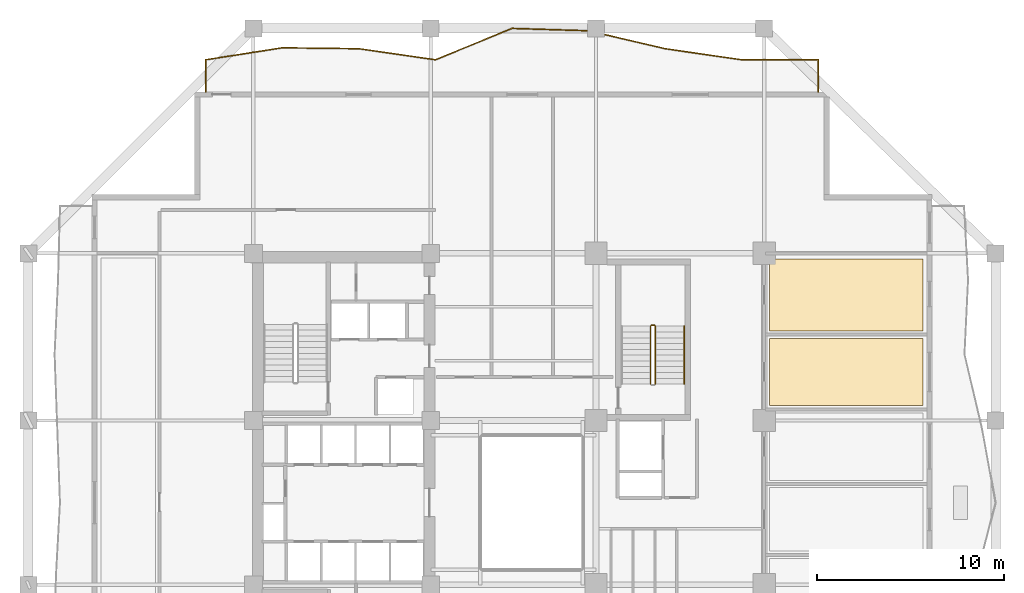
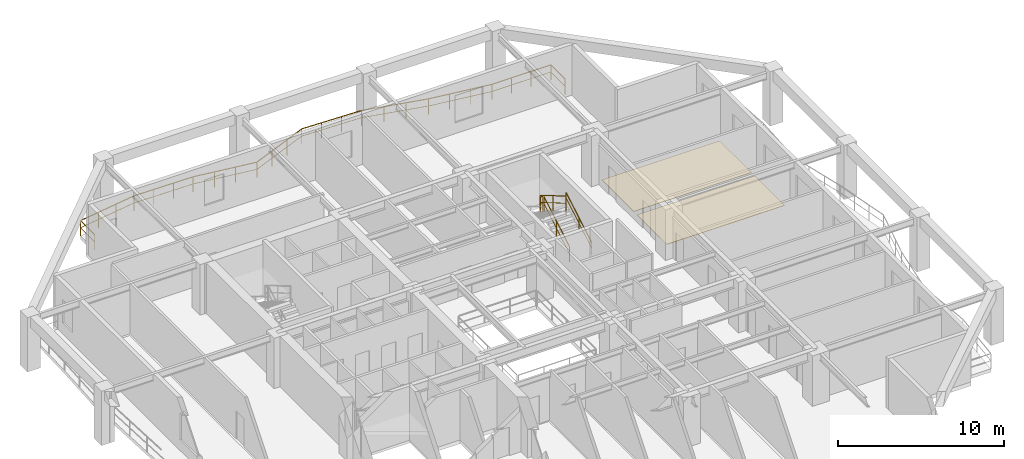
# One storey, part 12 of 13: 5 railings, 2 coverings.
"""IFC4 building model written with IfcOpenShell, lengths in metres."""

from ifc_helpers import new_model, si_unit, direction, frame, origin, origin_2d, place, context, subcontext, project, spatial, polyline, rectangle, outline, extrude, material, layer, layer_set, type_object, element, save


model = new_model("IFC4")

# Units and contexts
model_context = context("Model", 3, precision=1e-05, world=origin(), true_north=direction((0.0, 1.0)))
body_context = subcontext(model_context, "Body", "Model", "MODEL_VIEW")
ifc_project = project(units=[si_unit("LENGTHUNIT", "METRE"), si_unit("AREAUNIT", "SQUARE_METRE"), si_unit("VOLUMEUNIT", "CUBIC_METRE"), si_unit("PLANEANGLEUNIT", "RADIAN"), si_unit("MASSUNIT", "GRAM", prefix="KILO")], contexts=[model_context])

# Site, building, storey
site_placement = place(None, origin())
site = spatial("IfcSite", under=ifc_project, at=site_placement, CompositionType="ELEMENT")
building_placement = place(site_placement, origin())
building = spatial("IfcBuilding", under=site, at=building_placement, Name="Kundavana Baori Tower", CompositionType="ELEMENT")
storey_placement = place(building_placement, frame((0.0, 0.0, 62.0)))
storey = spatial("IfcBuildingStorey", under=building, at=storey_placement, Name="L14", CompositionType="ELEMENT", Elevation=62.0)

# Coverings
ifc_material_1 = material(Name="Honed Kota Stone and Terrazzo Flooring", Category="masonry")
ifc_layer = layer(ifc_material_1, 0.030029296875, Name="COV-INT-FLR")
ifc_layer_set = layer_set([ifc_layer], Name="Honed Kota Stone and Terrazzo Flooring")
covering_type = type_object("IfcCoveringType", Name="COV-INT-FLR", PredefinedType="FLOORING", material=ifc_layer_set)
covering_1_placement = place(storey_placement, origin())
element("IfcCovering", 1, at=covering_1_placement, inside=storey, type_object=covering_type, Name="L14 Room Finished Stone Flooring 12", PredefinedType="FLOORING", context=body_context, shape_type="SweptSolid", body=[
    extrude(outline(polyline([(43.10009765625, 33.800048828125), (51.320068359375, 33.800048828125), (51.320068359375, 37.39990234375), (43.10009765625, 37.39990234375), (43.10009765625, 33.800048828125)])), origin(), (0.0, 0.0, 1.0), 0.030029296875),
])
covering_2_placement = place(storey_placement, origin())
element("IfcCovering", 2, at=covering_2_placement, inside=storey, type_object=covering_type, Name="L14 Room Finished Stone Flooring 13", PredefinedType="FLOORING", context=body_context, shape_type="SweptSolid", body=[
    extrude(outline(polyline([(43.10009765625, 37.800048828125), (51.320068359375, 37.800048828125), (51.320068359375, 41.64990234375), (43.10009765625, 41.64990234375), (43.10009765625, 37.800048828125)])), origin(), (0.0, 0.0, 1.0), 0.030029296875),
])

# Railings
ifc_material_2 = material(Name="Architectural Patinated Bronze Metalwork")
railing_type_1 = type_object("IfcRailingType", Name="RL-BAL-1150", PredefinedType="BALUSTRADE", material=ifc_material_2)
railing_1_placement = place(storey_placement, frame((12.89990234375, 50.60009765625, 0.0)))
element("IfcRailing", 3, at=railing_1_placement, inside=storey, type_object=railing_type_1, Name="L14 Loggia Balcony Balustrade N", PredefinedType="BALUSTRADE", context=body_context, shape_type="SweptSolid", body=[
    extrude(rectangle(XDim=0.048095703125, YDim=0.048095703125, at=origin_2d()), frame((0.0, 0.0, 1.1259765625), z_axis=(0.0, 1.0, 0.0), x_axis=(-1.0, 0.0, 0.0)), (0.0, 0.0, 1.0), 1.719970703125),
    extrude(rectangle(XDim=0.03125, YDim=0.03125, at=origin_2d()), frame((0.0, 0.0, 0.597900390625), z_axis=(0.0, 1.0, 0.0), x_axis=(-1.0, 0.0, 0.0)), (0.0, 0.0, 1.0), 1.719970703125),
    extrude(rectangle(XDim=0.048095703125, YDim=0.048095703125, at=origin_2d()), frame((0.0, 1.719970703125, 1.1259765625), z_axis=(0.987931708029, 0.15489009094, 0.0), x_axis=(-0.15489009094, 0.987931708029, 0.0)), (0.0, 0.0, 1.0), 4.150146484375),
    extrude(rectangle(XDim=0.03125, YDim=0.03125, at=origin_2d()), frame((0.0, 1.719970703125, 0.597900390625), z_axis=(0.987931708029, 0.15489009094, 0.0), x_axis=(-0.15489009094, 0.987931708029, 0.0)), (0.0, 0.0, 1.0), 4.150146484375),
    extrude(rectangle(XDim=0.048095703125, YDim=0.048095703125, at=origin_2d()), frame((4.10009765625, 2.36279296875, 1.1259765625), z_axis=(0.999929095221, -0.011908170718, 0.0), x_axis=(0.011908170718, 0.999929095221, 0.0)), (0.0, 0.0, 1.0), 4.100341796875),
    extrude(rectangle(XDim=0.03125, YDim=0.03125, at=origin_2d()), frame((4.10009765625, 2.36279296875, 0.597900390625), z_axis=(0.999929095221, -0.011908170718, 0.0), x_axis=(0.011908170718, 0.999929095221, 0.0)), (0.0, 0.0, 1.0), 4.100341796875),
    extrude(rectangle(XDim=0.048095703125, YDim=0.048095703125, at=origin_2d()), frame((8.2001953125, 2.31396484375, 1.1259765625), z_axis=(0.989667023568, -0.143384735803, 0.0), x_axis=(0.143384735803, 0.989667023568, 0.0)), (0.0, 0.0, 1.0), 4.142578125),
    extrude(rectangle(XDim=0.03125, YDim=0.03125, at=origin_2d()), frame((8.2001953125, 2.31396484375, 0.597900390625), z_axis=(0.989667023568, -0.143384735803, 0.0), x_axis=(0.143384735803, 0.989667023568, 0.0)), (0.0, 0.0, 1.0), 4.142578125),
    extrude(rectangle(XDim=0.048095703125, YDim=0.048095703125, at=origin_2d()), frame((12.300048828125, 1.719970703125, 1.1259765625), z_axis=(0.925339682893, 0.379139118613, 0.0), x_axis=(-0.379139118613, 0.925339682893, 0.0)), (0.0, 0.0, 1.0), 4.430908203125),
    extrude(rectangle(XDim=0.03125, YDim=0.03125, at=origin_2d()), frame((12.300048828125, 1.719970703125, 0.597900390625), z_axis=(0.925339682893, 0.379139118613, 0.0), x_axis=(-0.379139118613, 0.925339682893, 0.0)), (0.0, 0.0, 1.0), 4.430908203125),
    extrude(rectangle(XDim=0.048095703125, YDim=0.048095703125, at=origin_2d()), frame((16.400146484375, 3.39990234375, 1.1259765625), z_axis=(0.999513526706, -0.031188297981, 0.0), x_axis=(0.031188297981, 0.999513526706, 0.0)), (0.0, 0.0, 1.0), 4.101806640625),
    extrude(rectangle(XDim=0.03125, YDim=0.03125, at=origin_2d()), frame((16.400146484375, 3.39990234375, 0.597900390625), z_axis=(0.999513526706, -0.031188297981, 0.0), x_axis=(0.031188297981, 0.999513526706, 0.0)), (0.0, 0.0, 1.0), 4.101806640625),
    extrude(rectangle(XDim=0.048095703125, YDim=0.048095703125, at=origin_2d()), frame((20.5, 3.27197265625, 1.1259765625), z_axis=(0.973771877763, -0.227526548073, 0.0), x_axis=(0.227526548073, 0.973771877763, 0.0)), (0.0, 0.0, 1.0), 4.21044921875),
    extrude(rectangle(XDim=0.03125, YDim=0.03125, at=origin_2d()), frame((20.5, 3.27197265625, 0.597900390625), z_axis=(0.973771877763, -0.227526548073, 0.0), x_axis=(0.227526548073, 0.973771877763, 0.0)), (0.0, 0.0, 1.0), 4.21044921875),
    extrude(rectangle(XDim=0.048095703125, YDim=0.048095703125, at=origin_2d()), frame((24.60009765625, 2.31396484375, 1.1259765625), z_axis=(0.989668235083, -0.143376373464, 0.0), x_axis=(0.143376373464, 0.989668235083, 0.0)), (0.0, 0.0, 1.0), 4.142822265625),
    extrude(rectangle(XDim=0.03125, YDim=0.03125, at=origin_2d()), frame((24.60009765625, 2.31396484375, 0.597900390625), z_axis=(0.989668235083, -0.143376373464, 0.0), x_axis=(0.143376373464, 0.989668235083, 0.0)), (0.0, 0.0, 1.0), 4.142822265625),
    extrude(rectangle(XDim=0.048095703125, YDim=0.048095703125, at=origin_2d()), frame((28.7001953125, 1.719970703125, 1.1259765625), z_axis=(1.0, 0.0, 0.0), x_axis=(0.0, 1.0, 0.0)), (0.0, 0.0, 1.0), 4.099853515625),
    extrude(rectangle(XDim=0.03125, YDim=0.03125, at=origin_2d()), frame((28.7001953125, 1.719970703125, 0.597900390625), z_axis=(1.0, 0.0, 0.0), x_axis=(0.0, 1.0, 0.0)), (0.0, 0.0, 1.0), 4.099853515625),
    extrude(rectangle(XDim=0.048095703125, YDim=0.048095703125, at=origin_2d()), frame((32.800048828125, 1.719970703125, 1.1259765625), z_axis=(0.0, -1.0, 0.0), x_axis=(1.0, 0.0, 0.0)), (0.0, 0.0, 1.0), 1.719970703125),
    extrude(rectangle(XDim=0.03125, YDim=0.03125, at=origin_2d()), frame((32.800048828125, 1.719970703125, 0.597900390625), z_axis=(0.0, -1.0, 0.0), x_axis=(1.0, 0.0, 0.0)), (0.0, 0.0, 1.0), 1.719970703125),
    extrude(rectangle(XDim=0.0419921875, YDim=0.0419921875, at=origin_2d()), origin(), (0.0, 0.0, 1.0), 1.101806640625),
    extrude(rectangle(XDim=0.0419921875, YDim=0.0419921875, at=origin_2d()), frame((0.0, 1.719970703125, 0.0)), (0.0, 0.0, 1.0), 1.101806640625),
    extrude(rectangle(XDim=0.0419921875, YDim=0.0419921875, at=origin_2d()), frame((1.36669921875, 1.934326171875, 0.0)), (0.0, 0.0, 1.0), 1.101806640625),
    extrude(rectangle(XDim=0.0419921875, YDim=0.0419921875, at=origin_2d()), frame((2.7333984375, 2.1484375, 0.0)), (0.0, 0.0, 1.0), 1.101806640625),
    extrude(rectangle(XDim=0.0419921875, YDim=0.0419921875, at=origin_2d()), frame((4.10009765625, 2.36279296875, 0.0)), (0.0, 0.0, 1.0), 1.101806640625),
    extrude(rectangle(XDim=0.0419921875, YDim=0.0419921875, at=origin_2d()), frame((5.466796875, 2.346435546875, 0.0)), (0.0, 0.0, 1.0), 1.101806640625),
    extrude(rectangle(XDim=0.0419921875, YDim=0.0419921875, at=origin_2d()), frame((6.83349609375, 2.330322265625, 0.0)), (0.0, 0.0, 1.0), 1.101806640625),
    extrude(rectangle(XDim=0.0419921875, YDim=0.0419921875, at=origin_2d()), frame((8.2001953125, 2.31396484375, 0.0)), (0.0, 0.0, 1.0), 1.101806640625),
    extrude(rectangle(XDim=0.0419921875, YDim=0.0419921875, at=origin_2d()), frame((9.56689453125, 2.115966796875, 0.0)), (0.0, 0.0, 1.0), 1.101806640625),
    extrude(rectangle(XDim=0.0419921875, YDim=0.0419921875, at=origin_2d()), frame((10.933349609375, 1.91796875, 0.0)), (0.0, 0.0, 1.0), 1.101806640625),
    extrude(rectangle(XDim=0.0419921875, YDim=0.0419921875, at=origin_2d()), frame((12.300048828125, 1.719970703125, 0.0)), (0.0, 0.0, 1.0), 1.101806640625),
    extrude(rectangle(XDim=0.0419921875, YDim=0.0419921875, at=origin_2d()), frame((13.666748046875, 2.280029296875, 0.0)), (0.0, 0.0, 1.0), 1.101806640625),
    extrude(rectangle(XDim=0.0419921875, YDim=0.0419921875, at=origin_2d()), frame((15.033447265625, 2.83984375, 0.0)), (0.0, 0.0, 1.0), 1.101806640625),
    extrude(rectangle(XDim=0.0419921875, YDim=0.0419921875, at=origin_2d()), frame((16.400146484375, 3.39990234375, 0.0)), (0.0, 0.0, 1.0), 1.101806640625),
    extrude(rectangle(XDim=0.0419921875, YDim=0.0419921875, at=origin_2d()), frame((17.766845703125, 3.357177734375, 0.0)), (0.0, 0.0, 1.0), 1.101806640625),
    extrude(rectangle(XDim=0.0419921875, YDim=0.0419921875, at=origin_2d()), frame((19.13330078125, 3.314697265625, 0.0)), (0.0, 0.0, 1.0), 1.101806640625),
    extrude(rectangle(XDim=0.0419921875, YDim=0.0419921875, at=origin_2d()), frame((20.5, 3.27197265625, 0.0)), (0.0, 0.0, 1.0), 1.101806640625),
    extrude(rectangle(XDim=0.0419921875, YDim=0.0419921875, at=origin_2d()), frame((21.86669921875, 2.95263671875, 0.0)), (0.0, 0.0, 1.0), 1.101806640625),
    extrude(rectangle(XDim=0.0419921875, YDim=0.0419921875, at=origin_2d()), frame((23.2333984375, 2.63330078125, 0.0)), (0.0, 0.0, 1.0), 1.101806640625),
    extrude(rectangle(XDim=0.0419921875, YDim=0.0419921875, at=origin_2d()), frame((24.60009765625, 2.31396484375, 0.0)), (0.0, 0.0, 1.0), 1.101806640625),
    extrude(rectangle(XDim=0.0419921875, YDim=0.0419921875, at=origin_2d()), frame((25.966796875, 2.115966796875, 0.0)), (0.0, 0.0, 1.0), 1.101806640625),
    extrude(rectangle(XDim=0.0419921875, YDim=0.0419921875, at=origin_2d()), frame((27.33349609375, 1.91796875, 0.0)), (0.0, 0.0, 1.0), 1.101806640625),
    extrude(rectangle(XDim=0.0419921875, YDim=0.0419921875, at=origin_2d()), frame((28.7001953125, 1.719970703125, 0.0)), (0.0, 0.0, 1.0), 1.101806640625),
    extrude(rectangle(XDim=0.0419921875, YDim=0.0419921875, at=origin_2d()), frame((30.06689453125, 1.719970703125, 0.0)), (0.0, 0.0, 1.0), 1.101806640625),
    extrude(rectangle(XDim=0.0419921875, YDim=0.0419921875, at=origin_2d()), frame((31.433349609375, 1.719970703125, 0.0)), (0.0, 0.0, 1.0), 1.101806640625),
    extrude(rectangle(XDim=0.0419921875, YDim=0.0419921875, at=origin_2d()), frame((32.800048828125, 1.719970703125, 0.0)), (0.0, 0.0, 1.0), 1.101806640625),
    extrude(rectangle(XDim=0.0419921875, YDim=0.0419921875, at=origin_2d()), frame((32.800048828125, 0.0, 0.0)), (0.0, 0.0, 1.0), 1.101806640625),
])
ifc_material_3 = material(Name="Architectural Patinated Bronze Metalwork")
railing_type_2 = type_object("IfcRailingType", Name="RL-GRD-1150", PredefinedType="GUARDRAIL", material=ifc_material_3)
railing_2_placement = place(storey_placement, frame((36.97998046875, 34.949951171875, 0.181884765625)))
element("IfcRailing", 4, at=railing_2_placement, inside=storey, type_object=railing_type_2, Name="L14 ST3 stair guard 1", PredefinedType="GUARDRAIL", context=body_context, shape_type="SweptSolid", body=[
    extrude(rectangle(XDim=0.048095703125, YDim=0.048095703125, at=origin_2d()), frame((0.0, 0.0, 1.1259765625), z_axis=(0.0, 0.862598821094, 0.505888598258), x_axis=(-1.0, 0.0, 0.0)), (0.0, 0.0, 1.0), 3.593994140625),
    extrude(rectangle(XDim=0.03125, YDim=0.03125, at=origin_2d()), frame((0.0, 0.0, 0.597900390625), z_axis=(0.0, 0.862598821094, 0.505888598258), x_axis=(-1.0, 0.0, 0.0)), (0.0, 0.0, 1.0), 3.593994140625),
    extrude(rectangle(XDim=0.0419921875, YDim=0.0419921875, at=origin_2d()), origin(), (0.0, 0.0, 1.0), 1.101806640625),
    extrude(rectangle(XDim=0.0419921875, YDim=0.0419921875, at=origin_2d()), frame((0.0, 1.550048828125, 0.9091796875)), (0.0, 0.0, 1.0), 1.101806640625),
    extrude(rectangle(XDim=0.0419921875, YDim=0.0419921875, at=origin_2d()), frame((0.0, 3.10009765625, 1.818115234375)), (0.0, 0.0, 1.0), 1.101806640625),
])
railing_3_placement = place(storey_placement, frame((36.929931640625, 38.10009765625, 2.0)))
element("IfcRailing", 5, at=railing_3_placement, inside=storey, type_object=railing_type_2, Name="L14 ST3 stair guard 2", PredefinedType="GUARDRAIL", context=body_context, shape_type="SweptSolid", body=[
    extrude(rectangle(XDim=0.048095703125, YDim=0.048095703125, at=origin_2d()), frame((0.0, 0.0, 1.1259765625), z_axis=(-1.0, 0.0, 0.0), x_axis=(0.0, -1.0, 0.0)), (0.0, 0.0, 1.0), 0.159912109375),
    extrude(rectangle(XDim=0.03125, YDim=0.03125, at=origin_2d()), frame((0.0, 0.0, 0.597900390625), z_axis=(-1.0, 0.0, 0.0), x_axis=(0.0, -1.0, 0.0)), (0.0, 0.0, 1.0), 0.159912109375),
    extrude(rectangle(XDim=0.0419921875, YDim=0.0419921875, at=origin_2d()), origin(), (0.0, 0.0, 1.0), 1.101806640625),
    extrude(rectangle(XDim=0.0419921875, YDim=0.0419921875, at=origin_2d()), frame((-0.159912109375, 0.0, 0.0)), (0.0, 0.0, 1.0), 1.101806640625),
])
railing_4_placement = place(storey_placement, frame((36.719970703125, 38.050048828125, 2.181884765625)))
element("IfcRailing", 6, at=railing_4_placement, inside=storey, type_object=railing_type_2, Name="L14 ST3 stair guard 3", PredefinedType="GUARDRAIL", context=body_context, shape_type="SweptSolid", body=[
    extrude(rectangle(XDim=0.048095703125, YDim=0.048095703125, at=origin_2d()), frame((0.0, 0.0, 1.1259765625), z_axis=(0.0, -0.862598821094, 0.505888598258), x_axis=(1.0, 0.0, 0.0)), (0.0, 0.0, 1.0), 3.593994140625),
    extrude(rectangle(XDim=0.03125, YDim=0.03125, at=origin_2d()), frame((0.0, 0.0, 0.597900390625), z_axis=(0.0, -0.862598821094, 0.505888598258), x_axis=(1.0, 0.0, 0.0)), (0.0, 0.0, 1.0), 3.593994140625),
    extrude(rectangle(XDim=0.0419921875, YDim=0.0419921875, at=origin_2d()), origin(), (0.0, 0.0, 1.0), 1.101806640625),
    extrude(rectangle(XDim=0.0419921875, YDim=0.0419921875, at=origin_2d()), frame((0.0, -1.550048828125, 0.9091796875)), (0.0, 0.0, 1.0), 1.101806640625),
    extrude(rectangle(XDim=0.0419921875, YDim=0.0419921875, at=origin_2d()), frame((0.0, -3.10009765625, 1.818115234375)), (0.0, 0.0, 1.0), 1.101806640625),
])
ifc_material_4 = material(Name="Architectural Patinated Bronze Metalwork")
railing_type_3 = type_object("IfcRailingType", Name="RL-HND-920", PredefinedType="HANDRAIL", material=ifc_material_4)
railing_5_placement = place(storey_placement, frame((38.530029296875, 34.949951171875, 0.181884765625)))
element("IfcRailing", 7, at=railing_5_placement, inside=storey, type_object=railing_type_3, Name="L14 ST3 stair handrail 1", PredefinedType="HANDRAIL", context=body_context, shape_type="SweptSolid", body=[
    extrude(rectangle(XDim=0.048095703125, YDim=0.048095703125, at=origin_2d()), frame((0.0, 0.0, 0.8759765625), z_axis=(0.0, 0.862598821094, 0.505888598258), x_axis=(-1.0, 0.0, 0.0)), (0.0, 0.0, 1.0), 3.593994140625),
    extrude(rectangle(XDim=0.03125, YDim=0.03125, at=origin_2d()), frame((0.0, 0.0, 0.468017578125), z_axis=(0.0, 0.862598821094, 0.505888598258), x_axis=(-1.0, 0.0, 0.0)), (0.0, 0.0, 1.0), 3.593994140625),
    extrude(rectangle(XDim=0.0419921875, YDim=0.0419921875, at=origin_2d()), origin(), (0.0, 0.0, 1.0), 0.851806640625),
    extrude(rectangle(XDim=0.0419921875, YDim=0.0419921875, at=origin_2d()), frame((0.0, 1.550048828125, 0.9091796875)), (0.0, 0.0, 1.0), 0.851806640625),
    extrude(rectangle(XDim=0.0419921875, YDim=0.0419921875, at=origin_2d()), frame((0.0, 3.10009765625, 1.818115234375)), (0.0, 0.0, 1.0), 0.851806640625),
])

save(model, "model.ifc")
